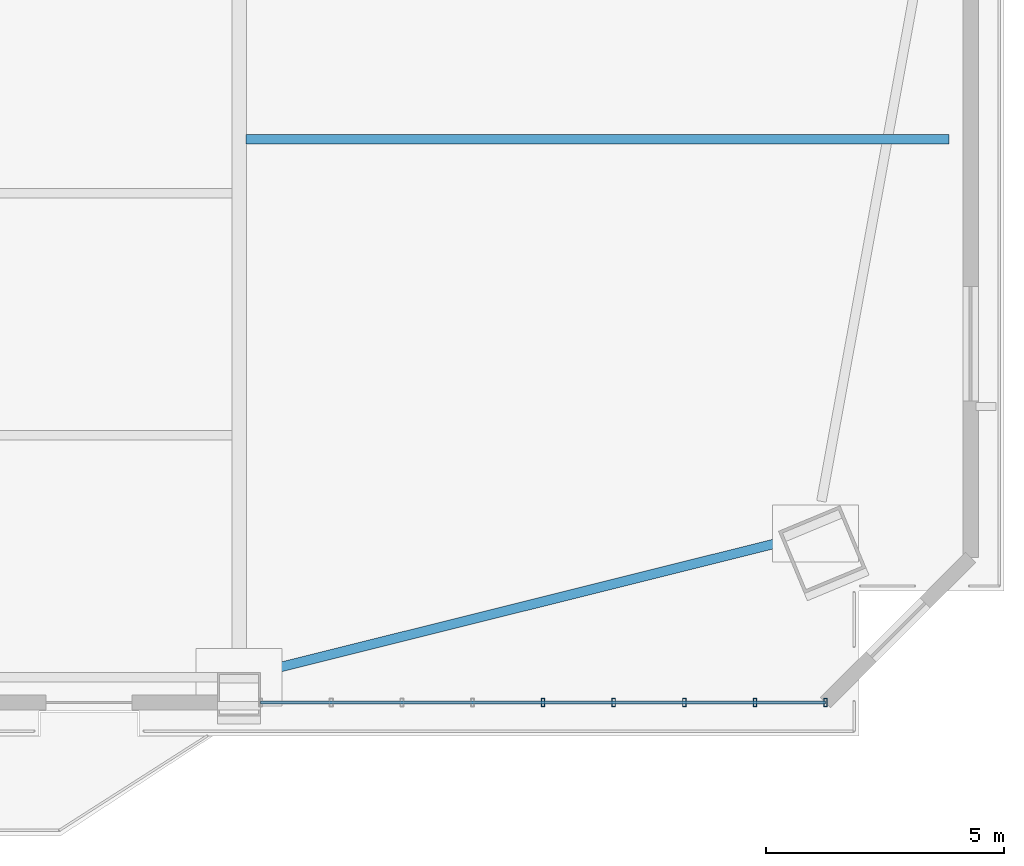
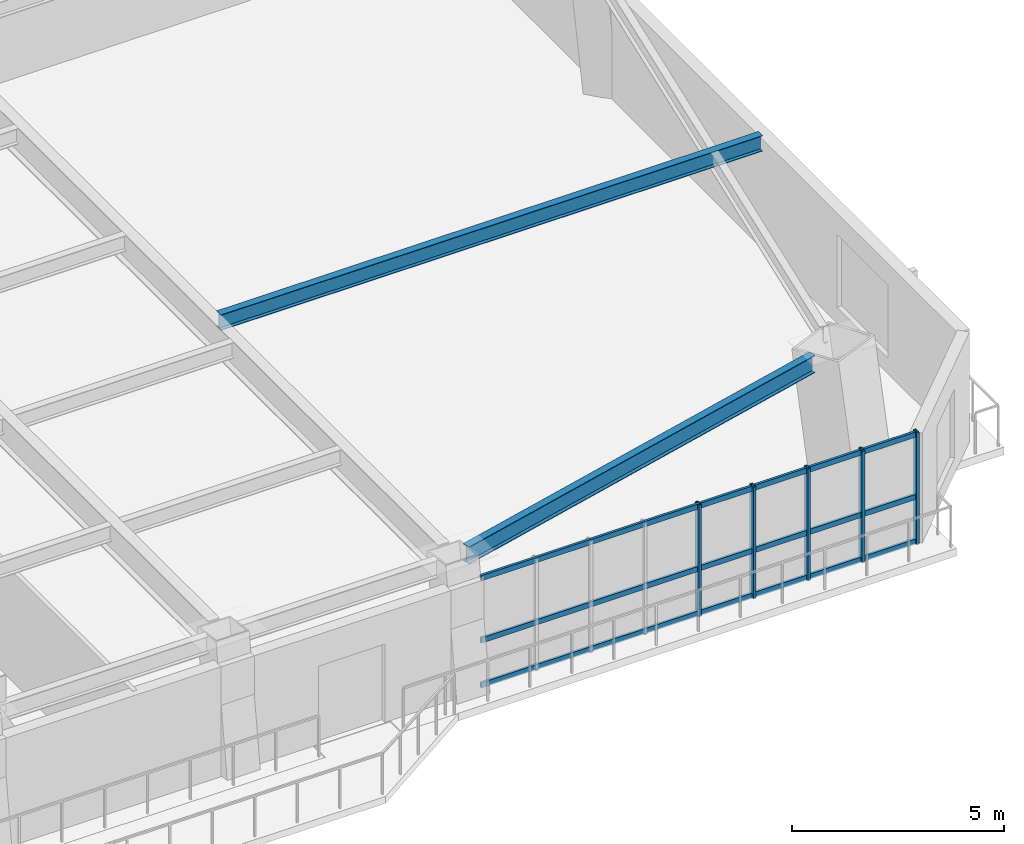
# One storey, part 5 of 15: 8 members, 2 beams, 1 element without a shape of its own.
"""IFC4 building model written with IfcOpenShell, lengths in metres."""

from ifc_helpers import new_model, si_unit, direction, frame, origin, origin_2d, place, context, subcontext, project, spatial, hollow_rectangle, i_section, extrude, source, transform, mapped, material, layer, layer_set, material_profile, profile_set, type_object, element, aggregate, save


model = new_model("IFC4")

# Units and contexts
model_context = context("Model", 3, precision=1e-05, world=origin(), true_north=direction((0.0, 1.0)))
body_context = subcontext(model_context, "Body", "Model", "MODEL_VIEW")
ifc_project = project(units=[si_unit("LENGTHUNIT", "METRE"), si_unit("AREAUNIT", "SQUARE_METRE"), si_unit("VOLUMEUNIT", "CUBIC_METRE"), si_unit("PLANEANGLEUNIT", "RADIAN"), si_unit("MASSUNIT", "GRAM", prefix="KILO")], contexts=[model_context])

# Site, building, storey
site_placement = place(None, origin())
site = spatial("IfcSite", under=ifc_project, at=site_placement, CompositionType="ELEMENT")
building_placement = place(site_placement, origin())
building = spatial("IfcBuilding", under=site, at=building_placement, Name="Giltprow Tower", CompositionType="ELEMENT")
storey_placement = place(building_placement, frame((0.0, 0.0, 107.5)))
storey = spatial("IfcBuildingStorey", under=building, at=storey_placement, Name="L26", CompositionType="ELEMENT", Elevation=107.5)

# Beams
ifc_material_1 = material(Name="Structural steel Q355B", Category="steel")
ifc_material_profile_1 = material_profile(ifc_material_1, i_section(OverallWidth=0.199951171875, OverallDepth=0.5, WebThickness=0.010009765625, FlangeThickness=0.01611328125, at=origin_2d()), Name="HN 500x200x10x16")
ifc_profile_set_1 = profile_set([ifc_material_profile_1], Name="Structural steel Q355B")
beam_type_1 = type_object("IfcBeamType", Name="BM-SPAN-HN500", PredefinedType="SPANDREL", material=ifc_profile_set_1)
shared_shape_1 = source(origin(), body_context, "Body", "SweptSolid", [
    extrude(i_section(OverallWidth=0.199951171875, OverallDepth=0.5, WebThickness=0.010009765625, FlangeThickness=0.01611328125, at=origin_2d()), origin(), (0.0, 0.0, 1.0), 11.33984375),
])
beam_1_placement = place(storey_placement, frame((50.971923828125, 7.094970703125, 3.429931640625), z_axis=(0.970234880628, 0.242165803557, 0.0), x_axis=(-0.242165803557, 0.970234880628, 0.0)))
element("IfcBeam", 1, at=beam_1_placement, inside=storey, type_object=beam_type_1, Name="L26 Perimeter Spandrel Beam S4-MC_SE", PredefinedType="SPANDREL", context=body_context, shape_type="MappedRepresentation", body=[
    mapped(shared_shape_1, transform((0.0, 0.0, 0.0), x_axis=(1.0, 0.0, 0.0), y_axis=(0.0, 1.0, 0.0), z_axis=(0.0, 0.0, 1.0), scale=1.0)),
])
ifc_material_profile_2 = material_profile(ifc_material_1, i_section(OverallWidth=0.199951171875, OverallDepth=0.449951171875, WebThickness=0.009033203125, FlangeThickness=0.013916015625, at=origin_2d()), Name="HN 450x200x9x14")
ifc_profile_set_2 = profile_set([ifc_material_profile_2], Name="Structural steel Q355B")
beam_type_2 = type_object("IfcBeamType", Name="BM-JOIST-HN450", PredefinedType="JOIST", material=ifc_profile_set_2)
shared_shape_2 = source(origin(), body_context, "Body", "SweptSolid", [
    extrude(i_section(OverallWidth=0.199951171875, OverallDepth=0.449951171875, WebThickness=0.009033203125, FlangeThickness=0.013916015625, at=origin_2d()), origin(), (0.0, 0.0, 1.0), 14.740966796875),
])
beam_2_placement = place(storey_placement, frame((50.695068359375, 18.27587890625, 3.455078125), z_axis=(1.0, 0.0, 0.0), x_axis=(0.0, 1.0, 0.0)))
element("IfcBeam", 2, at=beam_2_placement, inside=storey, type_object=beam_type_2, Name="L26 East Wing Floor Joist 1", PredefinedType="JOIST", context=body_context, shape_type="MappedRepresentation", body=[
    mapped(shared_shape_2, transform((0.0, 0.0, 0.0), x_axis=(1.0, 0.0, 0.0), y_axis=(0.0, 1.0, 0.0), z_axis=(0.0, 0.0, 1.0), scale=1.0)),
])

# Curtain wall, members
ifc_material_2 = material(Name="Anodized bronze", Category="metal")
ifc_layer = layer(ifc_material_2, 0.179931640625, Name="Anodized bronze")
ifc_layer_set = layer_set([ifc_layer], Name="Anodized bronze")
curtain_wall_type = type_object("IfcCurtainWallType", Name="CW-OFF-RECESSED", PredefinedType="NOTDEFINED", material=ifc_layer_set)
curtain_wall_placement = place(storey_placement, origin())
curtain_wall = element("IfcCurtainWall", 3, at=curtain_wall_placement, inside=storey, type_object=curtain_wall_type, Name="L26 South Recessed Curtain Wall 6", PredefinedType="NOTDEFINED")
ifc_material_profile_3 = material_profile(ifc_material_2, hollow_rectangle(XDim=0.074951171875, YDim=0.179931640625, WallThickness=0.008056640625, at=origin_2d()), Name="RHS 180x75x8")
ifc_profile_set_3 = profile_set([ifc_material_profile_3], Name="Anodized bronze")
member_type_1 = type_object("IfcMemberType", Name="CW-MULLION-180x75", PredefinedType="MULLION", material=ifc_profile_set_3)
shared_shape_3 = source(origin(), body_context, "Body", "SweptSolid", [
    extrude(hollow_rectangle(XDim=0.074951171875, YDim=0.179931640625, WallThickness=0.008056640625, at=origin_2d()), origin(), (0.0, 0.0, 1.0), 3.215087890625),
])
member_1_placement = place(storey_placement, frame((56.924072265625, 6.4619140625, -0.02001953125), z_axis=(0.0, 0.0, 1.0), x_axis=(1.0, 0.0, 0.0)))
member_1 = element("IfcMember", 4, at=member_1_placement, type_object=member_type_1, Name="L26 South Recessed Curtain Wall 6 Mullion 5", PredefinedType="MULLION", context=body_context, shape_type="MappedRepresentation", body=[
    mapped(shared_shape_3, transform((0.0, 0.0, 0.0), x_axis=(1.0, 0.0, 0.0), y_axis=(0.0, 1.0, 0.0), z_axis=(0.0, 0.0, 1.0), scale=1.0)),
])
member_2_placement = place(storey_placement, frame((58.405029296875, 6.4619140625, -0.02001953125), z_axis=(0.0, 0.0, 1.0), x_axis=(1.0, 0.0, 0.0)))
member_2 = element("IfcMember", 5, at=member_2_placement, type_object=member_type_1, Name="L26 South Recessed Curtain Wall 6 Mullion 6", PredefinedType="MULLION", context=body_context, shape_type="MappedRepresentation", body=[
    mapped(shared_shape_3, transform((0.0, 0.0, 0.0), x_axis=(1.0, 0.0, 0.0), y_axis=(0.0, 1.0, 0.0), z_axis=(0.0, 0.0, 1.0), scale=1.0)),
])
member_3_placement = place(storey_placement, frame((59.885986328125, 6.4619140625, -0.02001953125), z_axis=(0.0, 0.0, 1.0), x_axis=(1.0, 0.0, 0.0)))
member_3 = element("IfcMember", 6, at=member_3_placement, type_object=member_type_1, Name="L26 South Recessed Curtain Wall 6 Mullion 7", PredefinedType="MULLION", context=body_context, shape_type="MappedRepresentation", body=[
    mapped(shared_shape_3, transform((0.0, 0.0, 0.0), x_axis=(1.0, 0.0, 0.0), y_axis=(0.0, 1.0, 0.0), z_axis=(0.0, 0.0, 1.0), scale=1.0)),
])
member_4_placement = place(storey_placement, frame((61.366943359375, 6.4619140625, -0.02001953125), z_axis=(0.0, 0.0, 1.0), x_axis=(1.0, 0.0, 0.0)))
member_4 = element("IfcMember", 7, at=member_4_placement, type_object=member_type_1, Name="L26 South Recessed Curtain Wall 6 Mullion 8", PredefinedType="MULLION", context=body_context, shape_type="MappedRepresentation", body=[
    mapped(shared_shape_3, transform((0.0, 0.0, 0.0), x_axis=(1.0, 0.0, 0.0), y_axis=(0.0, 1.0, 0.0), z_axis=(0.0, 0.0, 1.0), scale=1.0)),
])
member_5_placement = place(storey_placement, frame((62.847900390625, 6.4619140625, -0.02001953125), z_axis=(0.0, 0.0, 1.0), x_axis=(1.0, 0.0, 0.0)))
member_5 = element("IfcMember", 8, at=member_5_placement, type_object=member_type_1, Name="L26 South Recessed Curtain Wall 6 Mullion 9", PredefinedType="MULLION", context=body_context, shape_type="MappedRepresentation", body=[
    mapped(shared_shape_3, transform((0.0, 0.0, 0.0), x_axis=(1.0, 0.0, 0.0), y_axis=(0.0, 1.0, 0.0), z_axis=(0.0, 0.0, 1.0), scale=1.0)),
])
ifc_material_profile_4 = material_profile(ifc_material_2, hollow_rectangle(XDim=0.06494140625, YDim=0.14990234375, WallThickness=0.006103515625, at=origin_2d()), Name="RHS 150x65x6")
ifc_profile_set_4 = profile_set([ifc_material_profile_4], Name="Anodized bronze")
member_type_2 = type_object("IfcMemberType", Name="CW-TRANSOM-150x65", PredefinedType="USERDEFINED", material=ifc_profile_set_4)
shared_shape_4 = source(origin(), body_context, "Body", "SweptSolid", [
    extrude(hollow_rectangle(XDim=0.06494140625, YDim=0.14990234375, WallThickness=0.006103515625, at=origin_2d()), origin(), (0.0, 0.0, 1.0), 11.847900390625),
])
member_6_placement = place(storey_placement, frame((51.0, 6.4619140625, 0.0400390625), z_axis=(1.0, 0.0, 0.0), x_axis=(0.0, 1.0, 0.0)))
member_6 = element("IfcMember", 9, at=member_6_placement, type_object=member_type_2, Name="L26 South Recessed Curtain Wall 6 Transom 1", ObjectType="TRANSOM", PredefinedType="USERDEFINED", context=body_context, shape_type="MappedRepresentation", body=[
    mapped(shared_shape_4, transform((0.0, 0.0, 0.0), x_axis=(1.0, 0.0, 0.0), y_axis=(0.0, 1.0, 0.0), z_axis=(0.0, 0.0, 1.0), scale=1.0)),
])
member_7_placement = place(storey_placement, frame((51.0, 6.4619140625, 1.326904296875), z_axis=(1.0, 0.0, 0.0), x_axis=(0.0, 1.0, 0.0)))
member_7 = element("IfcMember", 10, at=member_7_placement, type_object=member_type_2, Name="L26 South Recessed Curtain Wall 6 Transom 2", ObjectType="TRANSOM", PredefinedType="USERDEFINED", context=body_context, shape_type="MappedRepresentation", body=[
    mapped(shared_shape_4, transform((0.0, 0.0, 0.0), x_axis=(1.0, 0.0, 0.0), y_axis=(0.0, 1.0, 0.0), z_axis=(0.0, 0.0, 1.0), scale=1.0)),
])
member_8_placement = place(storey_placement, frame((51.0, 6.4619140625, 3.1201171875), z_axis=(1.0, 0.0, 0.0), x_axis=(0.0, 1.0, 0.0)))
member_8 = element("IfcMember", 11, at=member_8_placement, type_object=member_type_2, Name="L26 South Recessed Curtain Wall 6 Transom 3", ObjectType="TRANSOM", PredefinedType="USERDEFINED", context=body_context, shape_type="MappedRepresentation", body=[
    mapped(shared_shape_4, transform((0.0, 0.0, 0.0), x_axis=(1.0, 0.0, 0.0), y_axis=(0.0, 1.0, 0.0), z_axis=(0.0, 0.0, 1.0), scale=1.0)),
])
aggregate(curtain_wall, [member_1, member_2, member_3, member_4, member_5, member_6, member_7, member_8])

save(model, "model.ifc")
